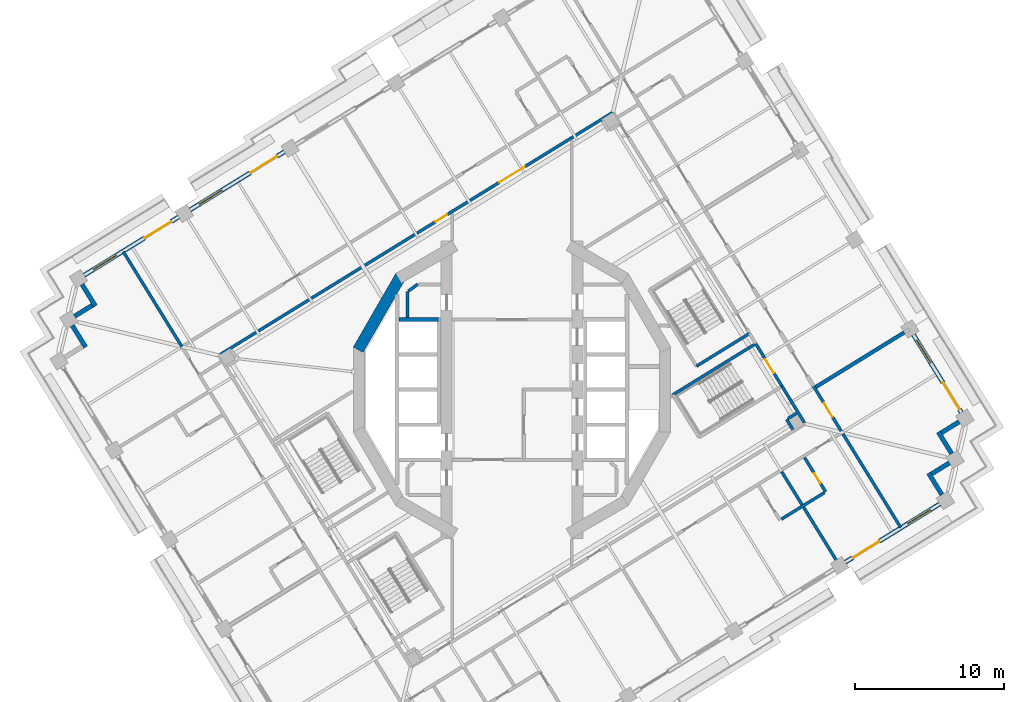
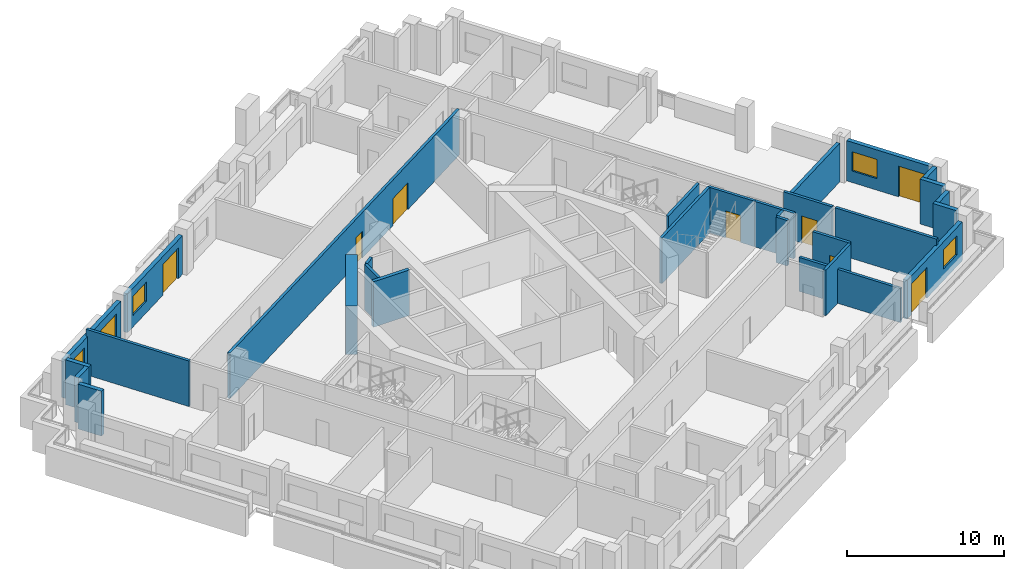
# One storey, part 7 of 20: 29 walls, 9 doors, 4 windows, 13 openings.
"""IFC4 building model written with IfcOpenShell, lengths in metres."""

from ifc_helpers import new_model, si_unit, direction, frame, frame_2d, origin, place, context, subcontext, project, spatial, rectangle, extrude, material, layer, layer_set, type_object, element, fill, save


model = new_model("IFC4")

# Units and contexts
model_context = context("Model", 3, precision=1e-05, world=origin(), true_north=direction((0.0, 1.0)))
body_context = subcontext(model_context, "Body", "Model", "MODEL_VIEW")
ifc_project = project(units=[si_unit("LENGTHUNIT", "METRE"), si_unit("AREAUNIT", "SQUARE_METRE"), si_unit("VOLUMEUNIT", "CUBIC_METRE"), si_unit("PLANEANGLEUNIT", "RADIAN"), si_unit("MASSUNIT", "GRAM", prefix="KILO")], contexts=[model_context])

# Site, building, storey
site_placement = place(None, origin())
site = spatial("IfcSite", under=ifc_project, at=site_placement, CompositionType="ELEMENT")
building_placement = place(site_placement, origin())
building = spatial("IfcBuilding", under=site, at=building_placement, Name="Cantera Rosa Tower", CompositionType="ELEMENT")
storey_placement = place(building_placement, frame((0.0, 0.0, 181.800048828125)))
storey = spatial("IfcBuildingStorey", under=building, at=storey_placement, Name="L40", CompositionType="ELEMENT", Elevation=181.800048828125)

# Wall, openings, doors
ifc_material_1 = material(Name="Gypsum board partition")
ifc_layer_1 = layer(ifc_material_1, 0.199951171875)
ifc_layer_set_1 = layer_set([ifc_layer_1], Name="CORRIDOR WALL 200 H3550")
wall_type_1 = type_object("IfcWallType", Name="CORRIDOR WALL 200 H3550", PredefinedType="PARTITIONING", material=ifc_layer_set_1)
wall_1_placement = place(storey_placement, frame((6.76123046875, 18.563232421875, 0.0), z_axis=(0.0, 0.0, 1.0), x_axis=(-0.851115762051, -0.524978056292, 0.0)))
wall_1 = element("IfcWall", 1, at=wall_1_placement, inside=storey, type_object=wall_type_1, Name="CORRIDOR WALL L40-075", PredefinedType="PARTITIONING", context=body_context, shape_type="SweptSolid", body=[
    extrude(rectangle(XDim=30.879638671875, YDim=0.199951171875, at=frame_2d((15.43994140625, 0.0))), origin(), (0.0, 0.0, 1.0), 3.550048828125),
])
opening_1_placement = place(wall_1_placement, frame((13.066650390625, 0.0, 0.0)))
opening_1 = element("IfcOpeningElement", 2, at=opening_1_placement, cuts=wall_1, Name="Opening L40-007", PredefinedType="OPENING", context=body_context, shape_type="SweptSolid", body=[
    extrude(rectangle(XDim=0.89990234375, YDim=2.10009765625, at=frame_2d((0.449951171875, 1.050048828125))), frame((0.0, 0.10986328125, 0.0), z_axis=(0.0, -1.0, 0.0), x_axis=(1.0, 0.0, 0.0)), (0.0, 0.0, 1.0), 0.219970703125),
])
opening_2_placement = place(wall_1_placement, frame((6.944091796875, 0.0, 0.0)))
opening_2 = element("IfcOpeningElement", 3, at=opening_2_placement, cuts=wall_1, Name="Opening L40-011", PredefinedType="OPENING", context=body_context, shape_type="SweptSolid", body=[
    extrude(rectangle(XDim=2.0, YDim=2.10009765625, at=frame_2d((1.0, 1.050048828125))), frame((0.0, 0.10986328125, 0.0), z_axis=(0.0, -1.0, 0.0), x_axis=(1.0, 0.0, 0.0)), (0.0, 0.0, 1.0), 0.219970703125),
])
ifc_material_2 = material(Name="Steel S355J2 (EN 10025-2)", Category="steel")
door_type_1 = type_object("IfcDoorType", Name="LOBBY SCREEN DOOR 2000x2100", OperationType="NOTDEFINED", PredefinedType="DOOR", material=ifc_material_2)
door_1_placement = place(opening_2_placement, origin())
door_1 = element("IfcDoor", 4, at=door_1_placement, inside=storey, type_object=door_type_1, Name="DOOR L40-011", OperationType="NOTDEFINED", OverallHeight=2.10009765625, OverallWidth=2.0, PredefinedType="DOOR", context=body_context, shape_type="SweptSolid", body=[
    extrude(rectangle(XDim=2.0, YDim=2.10009765625, at=frame_2d((1.0, 1.050048828125))), frame((0.0, 0.02490234375, 0.0), z_axis=(0.0, -1.0, 0.0), x_axis=(1.0, 0.0, 0.0)), (0.0, 0.0, 1.0), 0.050048828125),
])
fill(opening_2, door_1)
ifc_material_3 = material(Name="Timber door leaf", Category="wood")
door_type_2 = type_object("IfcDoorType", Name="SERVICE DOOR 900x2100", OperationType="NOTDEFINED", PredefinedType="DOOR", material=ifc_material_3)
door_2_placement = place(opening_1_placement, origin())
door_2 = element("IfcDoor", 5, at=door_2_placement, inside=storey, type_object=door_type_2, Name="DOOR L40-007", OperationType="NOTDEFINED", OverallHeight=2.10009765625, OverallWidth=0.89990234375, PredefinedType="DOOR", context=body_context, shape_type="SweptSolid", body=[
    extrude(rectangle(XDim=0.89990234375, YDim=2.10009765625, at=frame_2d((0.449951171875, 1.050048828125))), frame((0.0, 0.02490234375, 0.0), z_axis=(0.0, -1.0, 0.0), x_axis=(1.0, 0.0, 0.0)), (0.0, 0.0, 1.0), 0.050048828125),
])
fill(opening_1, door_2)

# Wall
wall_2_placement = place(storey_placement, frame((19.57080078125, -2.203857421875, 0.0), z_axis=(0.0, 0.0, 1.0), x_axis=(-0.525038681266, 0.851078364885, 0.0)))
element("IfcWall", 6, at=wall_2_placement, inside=storey, type_object=wall_type_1, Name="CORRIDOR WALL L40-109", PredefinedType="PARTITIONING", context=body_context, shape_type="SweptSolid", body=[
    extrude(rectangle(XDim=2.849853515625, YDim=0.199951171875, at=frame_2d((1.4248046875, 0.0))), origin(), (0.0, 0.0, 1.0), 3.550048828125),
])

# Wall, opening, door
wall_3_placement = place(storey_placement, frame((22.037109375, -2.77392578125, 0.0), z_axis=(0.0, 0.0, 1.0), x_axis=(-0.524928009261, 0.851146629608, 0.0)))
wall_3 = element("IfcWall", 7, at=wall_3_placement, inside=storey, type_object=wall_type_1, Name="CORRIDOR WALL L40-112", PredefinedType="PARTITIONING", context=body_context, shape_type="SweptSolid", body=[
    extrude(rectangle(XDim=3.52490234375, YDim=0.199951171875, at=frame_2d((1.762451171875, 0.0))), origin(), (0.0, 0.0, 1.0), 3.550048828125),
])
opening_3_placement = place(wall_3_placement, frame((1.090087890625, 0.0, 0.0)))
opening_3 = element("IfcOpeningElement", 8, at=opening_3_placement, cuts=wall_3, Name="Opening L40-023", PredefinedType="OPENING", context=body_context, shape_type="SweptSolid", body=[
    extrude(rectangle(XDim=1.10009765625, YDim=2.10009765625, at=frame_2d((0.550048828125, 1.050048828125))), frame((0.0, 0.10986328125, 0.0), z_axis=(0.0, -1.0, 0.0), x_axis=(1.0, 0.0, 0.0)), (0.0, 0.0, 1.0), 0.219970703125),
])
ifc_material_4 = material(Name="Timber door leaf", Category="wood")
door_type_3 = type_object("IfcDoorType", Name="ROOM DOOR 1100x2100", OperationType="NOTDEFINED", PredefinedType="DOOR", material=ifc_material_4)
door_3_placement = place(opening_3_placement, origin())
door_3 = element("IfcDoor", 9, at=door_3_placement, inside=storey, type_object=door_type_3, Name="DOOR L40-023", OperationType="NOTDEFINED", OverallHeight=2.10009765625, OverallWidth=1.10009765625, PredefinedType="DOOR", context=body_context, shape_type="SweptSolid", body=[
    extrude(rectangle(XDim=1.10009765625, YDim=2.10009765625, at=frame_2d((0.550048828125, 1.050048828125))), frame((0.0, 0.02490234375, 0.0), z_axis=(0.0, -1.0, 0.0), x_axis=(1.0, 0.0, 0.0)), (0.0, 0.0, 1.0), 0.050048828125),
])
fill(opening_3, door_3)

# Walls
ifc_material_5 = material(Name="Hollow clay masonry with cantera stone cladding", Category="masonry")
ifc_layer_2 = layer(ifc_material_5, 0.300048828125)
ifc_layer_set_2 = layer_set([ifc_layer_2], Name="EW-LOGGIA 300")
wall_type_2 = type_object("IfcWallType", Name="EW-LOGGIA 300", PredefinedType="SOLIDWALL", material=ifc_layer_set_2)
wall_4_placement = place(storey_placement, frame((-28.7802734375, 7.0390625, 0.0), z_axis=(0.0, 0.0, 1.0), x_axis=(0.524994468487, -0.851105638601, 0.0)))
element("IfcWall", 10, at=wall_4_placement, inside=storey, type_object=wall_type_2, Name="EN-L40-W13a", PredefinedType="SOLIDWALL", context=body_context, shape_type="SweptSolid", body=[
    extrude(rectangle(XDim=1.7001953125, YDim=0.300048828125, at=frame_2d((0.85009765625, 0.0))), origin(), (0.0, 0.0, 1.0), 3.5),
])
wall_5_placement = place(storey_placement, frame((-28.09423828125, 5.64111328125, 0.0), z_axis=(0.0, 0.0, 1.0), x_axis=(-0.851040987269, -0.525099264891, 0.0)))
element("IfcWall", 11, at=wall_5_placement, inside=storey, type_object=wall_type_2, Name="EN-L40-W13b", PredefinedType="SOLIDWALL", context=body_context, shape_type="SweptSolid", body=[
    extrude(rectangle(XDim=1.39990234375, YDim=0.300048828125, at=frame_2d((0.699951171875, 0.0))), origin(), (0.0, 0.0, 1.0), 3.5),
])
for number, where, z_axis, x_axis, name in (
    (12, (-29.4326171875, 4.286865234375, 0.0), (0.0, 0.0, 1.0), (0.524994468487, -0.851105638601, 0.0), "EN-L40-W14a"),
    (13, (28.7802734375, -7.0390625, 0.0), (0.0, 0.0, 1.0), (-0.524994468487, 0.851105638601, 0.0), "EN-L40-W27a"),
):
    element("IfcWall", number, at=place(storey_placement, frame(where, z_axis=z_axis, x_axis=x_axis)), inside=storey, type_object=wall_type_2, Name=name, PredefinedType="SOLIDWALL", context=body_context, shape_type="SweptSolid", body=[
        extrude(rectangle(XDim=1.7001953125, YDim=0.300048828125, at=frame_2d((0.85009765625, 0.0))), origin(), (0.0, 0.0, 1.0), 3.5),
    ])
wall_6_placement = place(storey_placement, frame((28.09423828125, -5.64111328125, 0.0), z_axis=(0.0, 0.0, 1.0), x_axis=(0.851040987269, 0.525099264891, 0.0)))
element("IfcWall", 14, at=wall_6_placement, inside=storey, type_object=wall_type_2, Name="EN-L40-W27b", PredefinedType="SOLIDWALL", context=body_context, shape_type="SweptSolid", body=[
    extrude(rectangle(XDim=1.39990234375, YDim=0.300048828125, at=frame_2d((0.699951171875, 0.0))), origin(), (0.0, 0.0, 1.0), 3.5),
])
wall_7_placement = place(storey_placement, frame((29.4326171875, -4.286865234375, 0.0), z_axis=(0.0, 0.0, 1.0), x_axis=(-0.524994468487, 0.851105638601, 0.0)))
element("IfcWall", 15, at=wall_7_placement, inside=storey, type_object=wall_type_2, Name="EN-L40-W28a", PredefinedType="SOLIDWALL", context=body_context, shape_type="SweptSolid", body=[
    extrude(rectangle(XDim=1.7001953125, YDim=0.300048828125, at=frame_2d((0.85009765625, 0.0))), origin(), (0.0, 0.0, 1.0), 3.5),
])
wall_8_placement = place(storey_placement, frame((28.74658203125, -2.888916015625, 0.0), z_axis=(0.0, 0.0, 1.0), x_axis=(0.851040987269, 0.525099264891, 0.0)))
element("IfcWall", 16, at=wall_8_placement, inside=storey, type_object=wall_type_2, Name="EN-L40-W28b", PredefinedType="SOLIDWALL", context=body_context, shape_type="SweptSolid", body=[
    extrude(rectangle(XDim=1.39990234375, YDim=0.300048828125, at=frame_2d((0.699951171875, 0.0))), origin(), (0.0, 0.0, 1.0), 3.5),
])

# Wall, openings, window, door
ifc_material_6 = material(Name="Hollow clay masonry with cantera stone cladding", Category="masonry")
ifc_layer_3 = layer(ifc_material_6, 0.300048828125)
ifc_layer_set_3 = layer_set([ifc_layer_3], Name="EW-LOGGIA 300 H3020")
wall_type_3 = type_object("IfcWallType", Name="EW-LOGGIA 300 H3020", PredefinedType="SOLIDWALL", material=ifc_layer_set_3)
wall_9_placement = place(storey_placement, frame((-15.23681640625, 15.92138671875, 0.0), z_axis=(0.0, 0.0, 1.0), x_axis=(-0.85112578684, -0.524961803349, 0.0)))
wall_9 = element("IfcWall", 17, at=wall_9_placement, inside=storey, type_object=wall_type_3, Name="EN-L40-W11", PredefinedType="SOLIDWALL", context=body_context, shape_type="SweptSolid", body=[
    extrude(rectangle(XDim=7.420166015625, YDim=0.300048828125, at=frame_2d((3.7099609375, 0.0))), origin(), (0.0, 0.0, 1.0), 3.02001953125),
])
opening_4_placement = place(wall_9_placement, frame((0.580078125, 0.0, 0.0)))
opening_4 = element("IfcOpeningElement", 18, at=opening_4_placement, cuts=wall_9, Name="Opening L40-TD13", PredefinedType="OPENING", context=body_context, shape_type="SweptSolid", body=[
    extrude(rectangle(XDim=2.10009765625, YDim=2.39990234375, at=frame_2d((1.050048828125, 1.199951171875))), frame((0.0, 0.159912109375, 0.0), z_axis=(0.0, -1.0, 0.0), x_axis=(1.0, 0.0, 0.0)), (0.0, 0.0, 1.0), 0.320068359375),
])
opening_5_placement = place(wall_9_placement, frame((4.889892578125, 0.0, 0.89990234375)))
opening_5 = element("IfcOpeningElement", 19, at=opening_5_placement, cuts=wall_9, Name="Opening L40-W14", PredefinedType="OPENING", context=body_context, shape_type="SweptSolid", body=[
    extrude(rectangle(XDim=1.800048828125, YDim=1.5, at=frame_2d((0.89990234375, 0.75))), frame((0.0, 0.159912109375, 0.0), z_axis=(0.0, -1.0, 0.0), x_axis=(1.0, 0.0, 0.0)), (0.0, 0.0, 1.0), 0.320068359375),
])
ifc_material_7 = material(Name="Aluminium frame with clear glass", Category="aluminium")
window_type = type_object("IfcWindowType", Name="Hotel room window 1800x1500", PartitioningType="DOUBLE_PANEL_VERTICAL", PredefinedType="WINDOW", material=ifc_material_7)
window_1_placement = place(opening_5_placement, origin())
window_1 = element("IfcWindow", 20, at=window_1_placement, inside=storey, type_object=window_type, Name="WINDOW L40-W14", OverallHeight=1.5, OverallWidth=1.800048828125, PartitioningType="SINGLE_PANEL", PredefinedType="WINDOW", context=body_context, shape_type="SweptSolid", body=[
    extrude(rectangle(XDim=1.800048828125, YDim=1.5, at=frame_2d((0.89990234375, 0.75))), frame((0.0, 0.030029296875, 0.0), z_axis=(0.0, -1.0, 0.0), x_axis=(1.0, 0.0, 0.0)), (0.0, 0.0, 1.0), 0.06005859375),
])
fill(opening_5, window_1)
ifc_material_8 = material(Name="Aluminium frame with clear glass", Category="aluminium")
door_type_4 = type_object("IfcDoorType", Name="TD-H 2100x2400", OperationType="NOTDEFINED", PredefinedType="DOOR", material=ifc_material_8)
door_4_placement = place(opening_4_placement, origin())
door_4 = element("IfcDoor", 21, at=door_4_placement, inside=storey, type_object=door_type_4, Name="LOGGIA DOOR L40-TD13", OperationType="SLIDING_TO_LEFT", OverallHeight=2.39990234375, OverallWidth=2.10009765625, PredefinedType="DOOR", context=body_context, shape_type="SweptSolid", body=[
    extrude(rectangle(XDim=2.10009765625, YDim=2.39990234375, at=frame_2d((1.050048828125, 1.199951171875))), frame((0.0, 0.02490234375, 0.0), z_axis=(0.0, -1.0, 0.0), x_axis=(1.0, 0.0, 0.0)), (0.0, 0.0, 1.0), 0.050048828125),
])
fill(opening_4, door_4)

wall_10_placement = place(storey_placement, frame((-22.318115234375, 11.5537109375, 0.0), z_axis=(0.0, 0.0, 1.0), x_axis=(-0.851111085575, -0.524985637909, 0.0)))
wall_10 = element("IfcWall", 22, at=wall_10_placement, inside=storey, type_object=wall_type_3, Name="EN-L40-W12", PredefinedType="SOLIDWALL", context=body_context, shape_type="SweptSolid", body=[
    extrude(rectangle(XDim=7.420166015625, YDim=0.300048828125, at=frame_2d((3.7099609375, 0.0))), origin(), (0.0, 0.0, 1.0), 3.02001953125),
])
opening_6_placement = place(wall_10_placement, frame((0.580078125, 0.0, 0.0)))
opening_6 = element("IfcOpeningElement", 23, at=opening_6_placement, cuts=wall_10, Name="Opening L40-TD15", PredefinedType="OPENING", context=body_context, shape_type="SweptSolid", body=[
    extrude(rectangle(XDim=2.10009765625, YDim=2.39990234375, at=frame_2d((1.050048828125, 1.199951171875))), frame((0.0, 0.159912109375, 0.0), z_axis=(0.0, -1.0, 0.0), x_axis=(1.0, 0.0, 0.0)), (0.0, 0.0, 1.0), 0.320068359375),
])
opening_7_placement = place(wall_10_placement, frame((4.889892578125, 0.0, 0.89990234375)))
opening_7 = element("IfcOpeningElement", 24, at=opening_7_placement, cuts=wall_10, Name="Opening L40-W16", PredefinedType="OPENING", context=body_context, shape_type="SweptSolid", body=[
    extrude(rectangle(XDim=1.800048828125, YDim=1.5, at=frame_2d((0.89990234375, 0.75))), frame((0.0, 0.159912109375, 0.0), z_axis=(0.0, -1.0, 0.0), x_axis=(1.0, 0.0, 0.0)), (0.0, 0.0, 1.0), 0.320068359375),
])
window_2_placement = place(opening_7_placement, origin())
window_2 = element("IfcWindow", 25, at=window_2_placement, inside=storey, type_object=window_type, Name="WINDOW L40-W16", OverallHeight=1.5, OverallWidth=1.800048828125, PartitioningType="SINGLE_PANEL", PredefinedType="WINDOW", context=body_context, shape_type="SweptSolid", body=[
    extrude(rectangle(XDim=1.800048828125, YDim=1.5, at=frame_2d((0.89990234375, 0.75))), frame((0.0, 0.030029296875, 0.0), z_axis=(0.0, -1.0, 0.0), x_axis=(1.0, 0.0, 0.0)), (0.0, 0.0, 1.0), 0.06005859375),
])
fill(opening_7, window_2)
door_5_placement = place(opening_6_placement, origin())
door_5 = element("IfcDoor", 26, at=door_5_placement, inside=storey, type_object=door_type_4, Name="LOGGIA DOOR L40-TD15", OperationType="SLIDING_TO_LEFT", OverallHeight=2.39990234375, OverallWidth=2.10009765625, PredefinedType="DOOR", context=body_context, shape_type="SweptSolid", body=[
    extrude(rectangle(XDim=2.10009765625, YDim=2.39990234375, at=frame_2d((1.050048828125, 1.199951171875))), frame((0.0, 0.02490234375, 0.0), z_axis=(0.0, -1.0, 0.0), x_axis=(1.0, 0.0, 0.0)), (0.0, 0.0, 1.0), 0.050048828125),
])
fill(opening_6, door_5)

wall_11_placement = place(storey_placement, frame((22.318115234375, -11.5537109375, 0.0), z_axis=(0.0, 0.0, 1.0), x_axis=(0.851111085575, 0.524985637909, 0.0)))
wall_11 = element("IfcWall", 27, at=wall_11_placement, inside=storey, type_object=wall_type_3, Name="EN-L40-W26", PredefinedType="SOLIDWALL", context=body_context, shape_type="SweptSolid", body=[
    extrude(rectangle(XDim=7.420166015625, YDim=0.300048828125, at=frame_2d((3.7099609375, 0.0))), origin(), (0.0, 0.0, 1.0), 3.02001953125),
])
opening_8_placement = place(wall_11_placement, frame((0.580078125, 0.0, 0.0)))
opening_8 = element("IfcOpeningElement", 28, at=opening_8_placement, cuts=wall_11, Name="Opening L40-TD35", PredefinedType="OPENING", context=body_context, shape_type="SweptSolid", body=[
    extrude(rectangle(XDim=2.10009765625, YDim=2.39990234375, at=frame_2d((1.050048828125, 1.199951171875))), frame((0.0, 0.159912109375, 0.0), z_axis=(0.0, -1.0, 0.0), x_axis=(1.0, 0.0, 0.0)), (0.0, 0.0, 1.0), 0.320068359375),
])
opening_9_placement = place(wall_11_placement, frame((4.889892578125, 0.0, 0.89990234375)))
opening_9 = element("IfcOpeningElement", 29, at=opening_9_placement, cuts=wall_11, Name="Opening L40-W36", PredefinedType="OPENING", context=body_context, shape_type="SweptSolid", body=[
    extrude(rectangle(XDim=1.800048828125, YDim=1.5, at=frame_2d((0.89990234375, 0.75))), frame((0.0, 0.159912109375, 0.0), z_axis=(0.0, -1.0, 0.0), x_axis=(1.0, 0.0, 0.0)), (0.0, 0.0, 1.0), 0.320068359375),
])
window_3_placement = place(opening_9_placement, origin())
window_3 = element("IfcWindow", 30, at=window_3_placement, inside=storey, type_object=window_type, Name="WINDOW L40-W36", OverallHeight=1.5, OverallWidth=1.800048828125, PartitioningType="SINGLE_PANEL", PredefinedType="WINDOW", context=body_context, shape_type="SweptSolid", body=[
    extrude(rectangle(XDim=1.800048828125, YDim=1.5, at=frame_2d((0.89990234375, 0.75))), frame((0.0, 0.030029296875, 0.0), z_axis=(0.0, -1.0, 0.0), x_axis=(1.0, 0.0, 0.0)), (0.0, 0.0, 1.0), 0.06005859375),
])
fill(opening_9, window_3)
door_6_placement = place(opening_8_placement, origin())
door_6 = element("IfcDoor", 31, at=door_6_placement, inside=storey, type_object=door_type_4, Name="LOGGIA DOOR L40-TD35", OperationType="SLIDING_TO_LEFT", OverallHeight=2.39990234375, OverallWidth=2.10009765625, PredefinedType="DOOR", context=body_context, shape_type="SweptSolid", body=[
    extrude(rectangle(XDim=2.10009765625, YDim=2.39990234375, at=frame_2d((1.050048828125, 1.199951171875))), frame((0.0, 0.02490234375, 0.0), z_axis=(0.0, -1.0, 0.0), x_axis=(1.0, 0.0, 0.0)), (0.0, 0.0, 1.0), 0.050048828125),
])
fill(opening_8, door_6)

ifc_material_9 = material(Name="Hollow clay masonry with cantera stone cladding", Category="masonry")
ifc_layer_4 = layer(ifc_material_9, 0.300048828125)
ifc_layer_set_4 = layer_set([ifc_layer_4], Name="EW-LOGGIA 300 H3140")
wall_type_4 = type_object("IfcWallType", Name="EW-LOGGIA 300 H3140", PredefinedType="SOLIDWALL", material=ifc_layer_set_4)
wall_12_placement = place(storey_placement, frame((30.084716796875, -1.53466796875, 0.0), z_axis=(0.0, 0.0, 1.0), x_axis=(-0.524987447654, 0.851109969279, 0.0)))
wall_12 = element("IfcWall", 32, at=wall_12_placement, inside=storey, type_object=wall_type_4, Name="EN-L40-W01", PredefinedType="SOLIDWALL", context=body_context, shape_type="SweptSolid", body=[
    extrude(rectangle(XDim=6.119873046875, YDim=0.300048828125, at=frame_2d((3.06005859375, 0.0))), origin(), (0.0, 0.0, 1.0), 3.139892578125),
])
opening_10_placement = place(wall_12_placement, frame((0.2548828125, 0.0, 0.0)))
opening_10 = element("IfcOpeningElement", 33, at=opening_10_placement, cuts=wall_12, Name="Opening L40-TD01", PredefinedType="OPENING", context=body_context, shape_type="SweptSolid", body=[
    extrude(rectangle(XDim=2.10009765625, YDim=2.39990234375, at=frame_2d((1.050048828125, 1.199951171875))), frame((0.0, 0.159912109375, 0.0), z_axis=(0.0, -1.0, 0.0), x_axis=(1.0, 0.0, 0.0)), (0.0, 0.0, 1.0), 0.320068359375),
])
opening_11_placement = place(wall_12_placement, frame((3.9150390625, 0.0, 0.89990234375)))
opening_11 = element("IfcOpeningElement", 34, at=opening_11_placement, cuts=wall_12, Name="Opening L40-W02", PredefinedType="OPENING", context=body_context, shape_type="SweptSolid", body=[
    extrude(rectangle(XDim=1.800048828125, YDim=1.5, at=frame_2d((0.89990234375, 0.75))), frame((0.0, 0.159912109375, 0.0), z_axis=(0.0, -1.0, 0.0), x_axis=(1.0, 0.0, 0.0)), (0.0, 0.0, 1.0), 0.320068359375),
])
window_4_placement = place(opening_11_placement, origin())
window_4 = element("IfcWindow", 35, at=window_4_placement, inside=storey, type_object=window_type, Name="WINDOW L40-W02", OverallHeight=1.5, OverallWidth=1.800048828125, PartitioningType="SINGLE_PANEL", PredefinedType="WINDOW", context=body_context, shape_type="SweptSolid", body=[
    extrude(rectangle(XDim=1.800048828125, YDim=1.5, at=frame_2d((0.89990234375, 0.75))), frame((0.0, 0.030029296875, 0.0), z_axis=(0.0, -1.0, 0.0), x_axis=(1.0, 0.0, 0.0)), (0.0, 0.0, 1.0), 0.06005859375),
])
fill(opening_11, window_4)
door_7_placement = place(opening_10_placement, origin())
door_7 = element("IfcDoor", 36, at=door_7_placement, inside=storey, type_object=door_type_4, Name="LOGGIA DOOR L40-TD01", OperationType="SLIDING_TO_LEFT", OverallHeight=2.39990234375, OverallWidth=2.10009765625, PredefinedType="DOOR", context=body_context, shape_type="SweptSolid", body=[
    extrude(rectangle(XDim=2.10009765625, YDim=2.39990234375, at=frame_2d((1.050048828125, 1.199951171875))), frame((0.0, 0.02490234375, 0.0), z_axis=(0.0, -1.0, 0.0), x_axis=(1.0, 0.0, 0.0)), (0.0, 0.0, 1.0), 0.050048828125),
])
fill(opening_10, door_7)

# Walls
ifc_material_10 = material(Name="Concrete C40/50", Category="concrete")
ifc_layer_5 = layer(ifc_material_10, 0.25)
ifc_layer_set_5 = layer_set([ifc_layer_5], Name="EW-POCKET CHEEK 250 H3020")
wall_type_5 = type_object("IfcWallType", Name="EW-POCKET CHEEK 250 H3020", PredefinedType="SOLIDWALL", material=ifc_layer_set_5)
wall_13_placement = place(storey_placement, frame((26.252685546875, 3.82080078125, 0.0), z_axis=(0.0, 0.0, 1.0), x_axis=(-0.851127184208, -0.524959537777, 0.0)))
element("IfcWall", 37, at=wall_13_placement, inside=storey, type_object=wall_type_5, Name="POCKET CHEEK A L40", PredefinedType="SOLIDWALL", context=body_context, shape_type="SweptSolid", body=[
    extrude(rectangle(XDim=6.949951171875, YDim=0.25, at=frame_2d((3.47509765625, 0.0))), origin(), (0.0, 0.0, 1.0), 3.02001953125),
])
ifc_material_11 = material(Name="Gypsum board partition")
ifc_layer_6 = layer(ifc_material_11, 0.199951171875)
ifc_layer_set_6 = layer_set([ifc_layer_6], Name="PARTITION 200 H3550")
wall_type_6 = type_object("IfcWallType", Name="PARTITION 200 H3550", PredefinedType="PARTITIONING", material=ifc_layer_set_6)
wall_14_placement = place(storey_placement, frame((-22.10009765625, 2.876220703125, 0.0), z_axis=(0.0, 0.0, 1.0), x_axis=(-0.524992491226, 0.851106858247, 0.0)))
element("IfcWall", 38, at=wall_14_placement, inside=storey, type_object=wall_type_6, Name="PARTITION L40-002", PredefinedType="PARTITIONING", context=body_context, shape_type="SweptSolid", body=[
    extrude(rectangle(XDim=7.469970703125, YDim=0.199951171875, at=frame_2d((3.73486328125, 0.0))), origin(), (0.0, 0.0, 1.0), 3.550048828125),
])
wall_15_placement = place(storey_placement, frame((-7.0, 4.824951171875, 0.0), z_axis=(0.0, 0.0, 1.0), x_axis=(0.0, 1.0, 0.0)))
element("IfcWall", 39, at=wall_15_placement, inside=storey, type_object=wall_type_6, Name="PARTITION L40-036", PredefinedType="PARTITIONING", context=body_context, shape_type="SweptSolid", body=[
    extrude(rectangle(XDim=1.72509765625, YDim=0.199951171875, at=frame_2d((0.862548828125, 0.0))), origin(), (0.0, 0.0, 1.0), 3.550048828125),
])
wall_16_placement = place(storey_placement, frame((-6.935302734375, 6.59716796875, 0.0), z_axis=(0.0, 0.0, 1.0), x_axis=(0.808227862651, 0.588869868506, 0.0)))
element("IfcWall", 40, at=wall_16_placement, inside=storey, type_object=wall_type_6, Name="PARTITION L40-037", PredefinedType="PARTITIONING", context=body_context, shape_type="SweptSolid", body=[
    extrude(rectangle(XDim=0.76904296875, YDim=0.199951171875, at=frame_2d((0.384521484375, 0.0))), origin(), (0.0, 0.0, 1.0), 3.550048828125),
])
wall_17_placement = place(storey_placement, frame((18.384765625, -1.99560546875, 0.0), z_axis=(0.0, 0.0, 1.0), x_axis=(0.524914498045, -0.851154962238, 0.0)))
element("IfcWall", 41, at=wall_17_placement, inside=storey, type_object=wall_type_6, Name="PARTITION L40-105", PredefinedType="PARTITIONING", context=body_context, shape_type="SweptSolid", body=[
    extrude(rectangle(XDim=0.800048828125, YDim=0.199951171875, at=frame_2d((0.39990234375, 0.0))), origin(), (0.0, 0.0, 1.0), 3.550048828125),
])
wall_18_placement = place(storey_placement, frame((19.048583984375, -1.5859375, 0.0), z_axis=(0.0, 0.0, 1.0), x_axis=(-0.850930166337, -0.525278832638, 0.0)))
element("IfcWall", 42, at=wall_18_placement, inside=storey, type_object=wall_type_6, Name="PARTITION L40-106", PredefinedType="PARTITIONING", context=body_context, shape_type="SweptSolid", body=[
    extrude(rectangle(XDim=0.679931640625, YDim=0.199951171875, at=frame_2d((0.33984375, 0.0))), origin(), (0.0, 0.0, 1.0), 3.550048828125),
])

# Wall, opening, door
wall_19_placement = place(storey_placement, frame((19.58251953125, -4.546630859375, 0.0), z_axis=(0.0, 0.0, 1.0), x_axis=(0.524909448059, -0.851158076586, 0.0)))
wall_19 = element("IfcWall", 43, at=wall_19_placement, inside=storey, type_object=wall_type_6, Name="PARTITION L40-108", PredefinedType="PARTITIONING", context=body_context, shape_type="SweptSolid", body=[
    extrude(rectangle(XDim=2.699951171875, YDim=0.199951171875, at=frame_2d((1.35009765625, 0.0))), origin(), (0.0, 0.0, 1.0), 3.550048828125),
])
opening_12_placement = place(wall_19_placement, frame((1.236083984375, 0.0, 0.0)))
opening_12 = element("IfcOpeningElement", 44, at=opening_12_placement, cuts=wall_19, Name="Opening L40-042", PredefinedType="OPENING", context=body_context, shape_type="SweptSolid", body=[
    extrude(rectangle(XDim=0.800048828125, YDim=2.10009765625, at=frame_2d((0.39990234375, 1.050048828125))), frame((0.0, 0.10986328125, 0.0), z_axis=(0.0, -1.0, 0.0), x_axis=(1.0, 0.0, 0.0)), (0.0, 0.0, 1.0), 0.219970703125),
])
ifc_material_12 = material(Name="Timber door leaf", Category="wood")
door_type_5 = type_object("IfcDoorType", Name="BATHROOM DOOR 800x2100", OperationType="NOTDEFINED", PredefinedType="DOOR", material=ifc_material_12)
door_8_placement = place(opening_12_placement, origin())
door_8 = element("IfcDoor", 45, at=door_8_placement, inside=storey, type_object=door_type_5, Name="DOOR L40-042", OperationType="NOTDEFINED", OverallHeight=2.10009765625, OverallWidth=0.800048828125, PredefinedType="DOOR", context=body_context, shape_type="SweptSolid", body=[
    extrude(rectangle(XDim=0.800048828125, YDim=2.10009765625, at=frame_2d((0.39990234375, 1.050048828125))), frame((0.0, 0.02490234375, 0.0), z_axis=(0.0, -1.0, 0.0), x_axis=(1.0, 0.0, 0.0)), (0.0, 0.0, 1.0), 0.050048828125),
])
fill(opening_12, door_8)

# Walls
wall_20_placement = place(storey_placement, frame((20.914794921875, -6.897216796875, 0.0), z_axis=(0.0, 0.0, 1.0), x_axis=(-0.851132144364, -0.524951495692, 0.0)))
element("IfcWall", 46, at=wall_20_placement, inside=storey, type_object=wall_type_6, Name="PARTITION L40-111", PredefinedType="PARTITIONING", context=body_context, shape_type="SweptSolid", body=[
    extrude(rectangle(XDim=3.380126953125, YDim=0.199951171875, at=frame_2d((1.68994140625, 0.0))), origin(), (0.0, 0.0, 1.0), 3.550048828125),
])
ifc_material_13 = material(Name="Gypsum board partition")
ifc_layer_7 = layer(ifc_material_13, 0.199951171875)
ifc_layer_set_7 = layer_set([ifc_layer_7], Name="PARTY WALL 200 H2650")
wall_type_7 = type_object("IfcWallType", Name="PARTY WALL 200 H2650", PredefinedType="PARTITIONING", material=ifc_layer_set_7)
wall_21_placement = place(storey_placement, frame((18.05029296875, -5.49169921875, 0.0), z_axis=(0.0, 0.0, 1.0), x_axis=(0.52498429839, -0.851111911821, 0.0)))
element("IfcWall", 47, at=wall_21_placement, inside=storey, type_object=wall_type_7, Name="PARTY WALL L40-103", PredefinedType="PARTITIONING", context=body_context, shape_type="SweptSolid", body=[
    extrude(rectangle(XDim=7.3701171875, YDim=0.199951171875, at=frame_2d((3.68505859375, 0.0))), origin(), (0.0, 0.0, 1.0), 2.64990234375),
])
ifc_material_14 = material(Name="Gypsum board partition")
ifc_layer_8 = layer(ifc_material_14, 0.199951171875)
ifc_layer_set_8 = layer_set([ifc_layer_8], Name="PARTY WALL 200 H3550")
wall_type_8 = type_object("IfcWallType", Name="PARTY WALL 200 H3550", PredefinedType="PARTITIONING", material=ifc_layer_set_8)
wall_22_placement = place(storey_placement, frame((26.021728515625, -9.23388671875, 0.0), z_axis=(0.0, 0.0, 1.0), x_axis=(-0.52498429839, 0.851111911821, 0.0)))
element("IfcWall", 48, at=wall_22_placement, inside=storey, type_object=wall_type_8, Name="PARTY WALL L40-114", PredefinedType="PARTITIONING", context=body_context, shape_type="SweptSolid", body=[
    extrude(rectangle(XDim=7.3701171875, YDim=0.199951171875, at=frame_2d((3.68505859375, 0.0))), origin(), (0.0, 0.0, 1.0), 3.550048828125),
])
ifc_material_15 = material(Name="Concrete C60/75", Category="concrete")
ifc_layer_9 = layer(ifc_material_15, 0.75)
ifc_layer_set_9 = layer_set([ifc_layer_9], Name="RC CORE WALL 750 C60/75")
wall_type_9 = type_object("IfcWallType", Name="RC CORE WALL 750 C60/75", PredefinedType="SHEAR", material=ifc_layer_set_9)
wall_23_placement = place(storey_placement, frame((-10.300537109375, 2.659423828125, 0.0), z_axis=(0.0, 0.0, 1.0), x_axis=(0.500021842983, 0.866012792365, 0.0)))
element("IfcWall", 49, at=wall_23_placement, inside=storey, type_object=wall_type_9, Name="CW-W4 L40", PredefinedType="SHEAR", context=body_context, shape_type="SweptSolid", body=[
    extrude(rectangle(XDim=5.694091796875, YDim=0.75, at=frame_2d((2.84716796875, 0.0))), origin(), (0.0, 0.0, 1.0), 3.800048828125),
])
ifc_material_16 = material(Name="Masonry blockwork", Category="masonry")
ifc_layer_10 = layer(ifc_material_16, 0.25)
ifc_layer_set_10 = layer_set([ifc_layer_10], Name="SHAFT WALL 250 H3550")
wall_type_10 = type_object("IfcWallType", Name="SHAFT WALL 250 H3550", PredefinedType="SOLIDWALL", material=ifc_layer_set_10)
wall_24_placement = place(storey_placement, frame((-7.574951171875, 4.699951171875, 0.0), z_axis=(0.0, 0.0, 1.0), x_axis=(1.0, 0.0, 0.0)))
element("IfcWall", 50, at=wall_24_placement, inside=storey, type_object=wall_type_10, Name="SHAFT WALL L40-029", PredefinedType="SOLIDWALL", context=body_context, shape_type="SweptSolid", body=[
    extrude(rectangle(XDim=2.675048828125, YDim=0.25, at=frame_2d((1.33740234375, 0.0))), origin(), (0.0, 0.0, 1.0), 3.550048828125),
])
ifc_material_17 = material(Name="Concrete C50/60", Category="concrete")
ifc_layer_11 = layer(ifc_material_17, 0.199951171875)
ifc_layer_set_11 = layer_set([ifc_layer_11], Name="STAIR WALL 200 H3550")
wall_type_11 = type_object("IfcWallType", Name="STAIR WALL 200 H3550", PredefinedType="SOLIDWALL", material=ifc_layer_set_11)
wall_25_placement = place(storey_placement, frame((10.767333984375, -0.349365234375, 0.0), z_axis=(0.0, 0.0, 1.0), x_axis=(0.851120392665, 0.524970548879, 0.0)))
element("IfcWall", 51, at=wall_25_placement, inside=storey, type_object=wall_type_11, Name="STAIR WALL L40-094", PredefinedType="SOLIDWALL", context=body_context, shape_type="SweptSolid", body=[
    extrude(rectangle(XDim=6.51904296875, YDim=0.199951171875, at=frame_2d((3.259521484375, 0.0))), origin(), (0.0, 0.0, 1.0), 3.550048828125),
])
wall_26_placement = place(storey_placement, frame((15.8955078125, 3.754638671875, 0.0), z_axis=(0.0, 0.0, 1.0), x_axis=(-0.851120688733, -0.524970068871, 0.0)))
element("IfcWall", 52, at=wall_26_placement, inside=storey, type_object=wall_type_11, Name="STAIR WALL L40-099", PredefinedType="SOLIDWALL", context=body_context, shape_type="SweptSolid", body=[
    extrude(rectangle(XDim=4.16650390625, YDim=0.199951171875, at=frame_2d((2.083251953125, 0.0))), origin(), (0.0, 0.0, 1.0), 3.550048828125),
])

# Wall, opening, door
wall_27_placement = place(storey_placement, frame((18.074462890625, 0.2216796875, 0.0), z_axis=(0.0, 0.0, 1.0), x_axis=(-0.524938861495, 0.85113993661, 0.0)))
wall_27 = element("IfcWall", 53, at=wall_27_placement, inside=storey, type_object=wall_type_11, Name="STAIR WALL L40-104", PredefinedType="SOLIDWALL", context=body_context, shape_type="SweptSolid", body=[
    extrude(rectangle(XDim=3.35009765625, YDim=0.199951171875, at=frame_2d((1.675048828125, 0.0))), origin(), (0.0, 0.0, 1.0), 3.550048828125),
])
opening_13_placement = place(wall_27_placement, frame((1.02978515625, 0.0, 0.0)))
opening_13 = element("IfcOpeningElement", 54, at=opening_13_placement, cuts=wall_27, Name="Opening L40-004", PredefinedType="OPENING", context=body_context, shape_type="SweptSolid", body=[
    extrude(rectangle(XDim=1.10009765625, YDim=2.10009765625, at=frame_2d((0.550048828125, 1.050048828125))), frame((0.0, 0.10986328125, 0.0), z_axis=(0.0, -1.0, 0.0), x_axis=(1.0, 0.0, 0.0)), (0.0, 0.0, 1.0), 0.219970703125),
])
ifc_material_18 = material(Name="Steel S355J2 (EN 10025-2)", Category="steel")
door_type_6 = type_object("IfcDoorType", Name="STAIR DOOR 1100x2100", OperationType="NOTDEFINED", PredefinedType="DOOR", material=ifc_material_18)
door_9_placement = place(opening_13_placement, origin())
door_9 = element("IfcDoor", 55, at=door_9_placement, inside=storey, type_object=door_type_6, Name="DOOR L40-004", OperationType="NOTDEFINED", OverallHeight=2.10009765625, OverallWidth=1.10009765625, PredefinedType="DOOR", context=body_context, shape_type="SweptSolid", body=[
    extrude(rectangle(XDim=1.10009765625, YDim=2.10009765625, at=frame_2d((0.550048828125, 1.050048828125))), frame((0.0, 0.02490234375, 0.0), z_axis=(0.0, -1.0, 0.0), x_axis=(1.0, 0.0, 0.0)), (0.0, 0.0, 1.0), 0.050048828125),
])
fill(opening_13, door_9)

save(model, "model.ifc")
